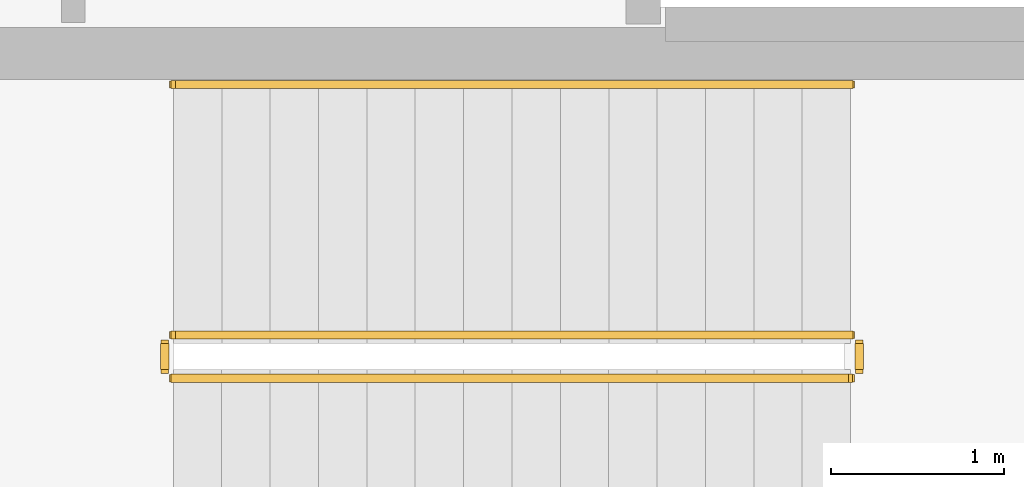
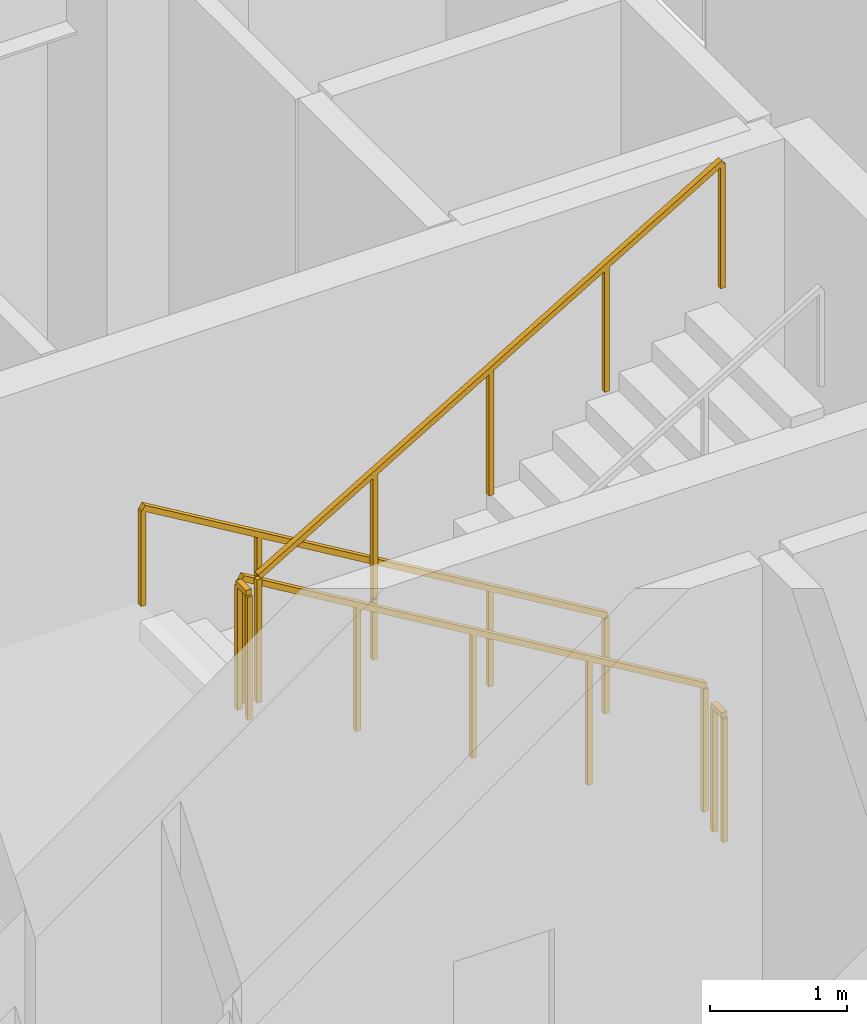
# One storey, part 8 of 9: 5 railings.
"""IFC4 building model written with IfcOpenShell, lengths in metres."""

from ifc_helpers import new_model, si_unit, direction, frame, origin, origin_2d, place, context, subcontext, project, spatial, rectangle, extrude, material, type_object, element, save


model = new_model("IFC4")

# Units and contexts
model_context = context("Model", 3, precision=1e-05, world=origin(), true_north=direction((0.0, 1.0)))
body_context = subcontext(model_context, "Body", "Model", "MODEL_VIEW")
ifc_project = project(units=[si_unit("LENGTHUNIT", "METRE"), si_unit("AREAUNIT", "SQUARE_METRE"), si_unit("VOLUMEUNIT", "CUBIC_METRE"), si_unit("PLANEANGLEUNIT", "RADIAN"), si_unit("MASSUNIT", "GRAM", prefix="KILO")], contexts=[model_context])

# Site, building, storey
site_placement = place(None, origin())
site = spatial("IfcSite", under=ifc_project, at=site_placement, CompositionType="ELEMENT")
building_placement = place(site_placement, origin())
building = spatial("IfcBuilding", under=site, at=building_placement, Name="Mawjaban Terraces University", CompositionType="ELEMENT")
storey_placement = place(building_placement, frame((0.0, 0.0, 165.800048828125)))
storey = spatial("IfcBuildingStorey", under=building, at=storey_placement, Name="L40", CompositionType="ELEMENT", Elevation=165.800048828125)

# Railings
ifc_material_1 = material(Name="Brushed stainless steel 316", Category="steel")
railing_type_1 = type_object("IfcRailingType", Name="StairWallHandrail_900", PredefinedType="HANDRAIL", material=ifc_material_1)
railing_1_placement = place(storey_placement, frame((30.050048828125, 18.800048828125, 0.16650390625)))
element("IfcRailing", 1, at=railing_1_placement, inside=storey, type_object=railing_type_1, Name="L40 ST-2 stair handrail 1", PredefinedType="HANDRAIL", context=body_context, shape_type="SweptSolid", body=[
    extrude(rectangle(XDim=0.048095703125, YDim=0.048095703125, at=origin_2d()), frame((0.0, 0.0, 0.8759765625), z_axis=(-0.859286724212, 0.0, 0.511494208758), x_axis=(0.0, -1.0, 0.0)), (0.0, 0.0, 1.0), 4.56201171875),
    extrude(rectangle(XDim=0.0419921875, YDim=0.0419921875, at=origin_2d()), origin(), (0.0, 0.0, 1.0), 0.851806640625),
    extrude(rectangle(XDim=0.0419921875, YDim=0.0419921875, at=origin_2d()), frame((-0.97998046875, 0.0, 0.58349609375)), (0.0, 0.0, 1.0), 0.851806640625),
    extrude(rectangle(XDim=0.0419921875, YDim=0.0419921875, at=origin_2d()), frame((-1.9599609375, 0.0, 1.166748046875)), (0.0, 0.0, 1.0), 0.851806640625),
    extrude(rectangle(XDim=0.0419921875, YDim=0.0419921875, at=origin_2d()), frame((-2.940185546875, 0.0, 1.75)), (0.0, 0.0, 1.0), 0.851806640625),
    extrude(rectangle(XDim=0.0419921875, YDim=0.0419921875, at=origin_2d()), frame((-3.920166015625, 0.0, 2.33349609375)), (0.0, 0.0, 1.0), 0.851806640625),
])
ifc_material_2 = material(Name="Galvanised painted steel S355", Category="steel")
railing_type_2 = type_object("IfcRailingType", Name="StairWellGuard_1150", PredefinedType="BALUSTRADE", material=ifc_material_2)
railing_2_placement = place(storey_placement, frame((30.050048828125, 17.35009765625, 0.16650390625)))
element("IfcRailing", 2, at=railing_2_placement, inside=storey, type_object=railing_type_2, Name="L40 ST-2 stair guard 1", PredefinedType="BALUSTRADE", context=body_context, shape_type="SweptSolid", body=[
    extrude(rectangle(XDim=0.048095703125, YDim=0.048095703125, at=origin_2d()), frame((0.0, 0.0, 1.1259765625), z_axis=(-0.859286724212, 0.0, 0.511494208758), x_axis=(0.0, -1.0, 0.0)), (0.0, 0.0, 1.0), 4.56201171875),
    extrude(rectangle(XDim=0.0419921875, YDim=0.0419921875, at=origin_2d()), origin(), (0.0, 0.0, 1.0), 1.101806640625),
    extrude(rectangle(XDim=0.0419921875, YDim=0.0419921875, at=origin_2d()), frame((-0.97998046875, 0.0, 0.58349609375)), (0.0, 0.0, 1.0), 1.101806640625),
    extrude(rectangle(XDim=0.0419921875, YDim=0.0419921875, at=origin_2d()), frame((-1.9599609375, 0.0, 1.166748046875)), (0.0, 0.0, 1.0), 1.101806640625),
    extrude(rectangle(XDim=0.0419921875, YDim=0.0419921875, at=origin_2d()), frame((-2.940185546875, 0.0, 1.75)), (0.0, 0.0, 1.0), 1.101806640625),
    extrude(rectangle(XDim=0.0419921875, YDim=0.0419921875, at=origin_2d()), frame((-3.920166015625, 0.0, 2.33349609375)), (0.0, 0.0, 1.0), 1.101806640625),
])
railing_3_placement = place(storey_placement, frame((26.080078125, 17.300048828125, 2.5)))
element("IfcRailing", 3, at=railing_3_placement, inside=storey, type_object=railing_type_2, Name="L40 ST-2 stair guard 2", PredefinedType="BALUSTRADE", context=body_context, shape_type="SweptSolid", body=[
    extrude(rectangle(XDim=0.048095703125, YDim=0.048095703125, at=origin_2d()), frame((0.0, 0.0, 1.1259765625), z_axis=(0.0, -1.0, 0.0), x_axis=(1.0, 0.0, 0.0)), (0.0, 0.0, 1.0), 0.150146484375),
    extrude(rectangle(XDim=0.0419921875, YDim=0.0419921875, at=origin_2d()), origin(), (0.0, 0.0, 1.0), 1.101806640625),
    extrude(rectangle(XDim=0.0419921875, YDim=0.0419921875, at=origin_2d()), frame((0.0, -0.150146484375, 0.0)), (0.0, 0.0, 1.0), 1.101806640625),
])
railing_4_placement = place(storey_placement, frame((26.1298828125, 17.10009765625, 2.66650390625)))
element("IfcRailing", 4, at=railing_4_placement, inside=storey, type_object=railing_type_2, Name="L40 ST-2 stair guard 3", PredefinedType="BALUSTRADE", context=body_context, shape_type="SweptSolid", body=[
    extrude(rectangle(XDim=0.048095703125, YDim=0.048095703125, at=origin_2d()), frame((0.0, 0.0, 1.1259765625), z_axis=(0.859286724212, 0.0, 0.511494208758), x_axis=(0.0, 1.0, 0.0)), (0.0, 0.0, 1.0), 4.56201171875),
    extrude(rectangle(XDim=0.0419921875, YDim=0.0419921875, at=origin_2d()), origin(), (0.0, 0.0, 1.0), 1.101806640625),
    extrude(rectangle(XDim=0.0419921875, YDim=0.0419921875, at=origin_2d()), frame((0.97998046875, 0.0, 0.58349609375)), (0.0, 0.0, 1.0), 1.101806640625),
    extrude(rectangle(XDim=0.0419921875, YDim=0.0419921875, at=origin_2d()), frame((1.9599609375, 0.0, 1.166748046875)), (0.0, 0.0, 1.0), 1.101806640625),
    extrude(rectangle(XDim=0.0419921875, YDim=0.0419921875, at=origin_2d()), frame((2.940185546875, 0.0, 1.75)), (0.0, 0.0, 1.0), 1.101806640625),
    extrude(rectangle(XDim=0.0419921875, YDim=0.0419921875, at=origin_2d()), frame((3.920166015625, 0.0, 2.33349609375)), (0.0, 0.0, 1.0), 1.101806640625),
])
railing_5_placement = place(storey_placement, frame((30.10009765625, 17.300048828125, 0.0)))
element("IfcRailing", 5, at=railing_5_placement, inside=storey, type_object=railing_type_2, Name="L40 ST-2 stair guard 4", PredefinedType="BALUSTRADE", context=body_context, shape_type="SweptSolid", body=[
    extrude(rectangle(XDim=0.048095703125, YDim=0.048095703125, at=origin_2d()), frame((0.0, 0.0, 1.1259765625), z_axis=(0.0, -1.0, 0.0), x_axis=(1.0, 0.0, 0.0)), (0.0, 0.0, 1.0), 0.150146484375),
    extrude(rectangle(XDim=0.0419921875, YDim=0.0419921875, at=origin_2d()), origin(), (0.0, 0.0, 1.0), 1.101806640625),
    extrude(rectangle(XDim=0.0419921875, YDim=0.0419921875, at=origin_2d()), frame((0.0, -0.150146484375, 0.0)), (0.0, 0.0, 1.0), 1.101806640625),
])

save(model, "model.ifc")
